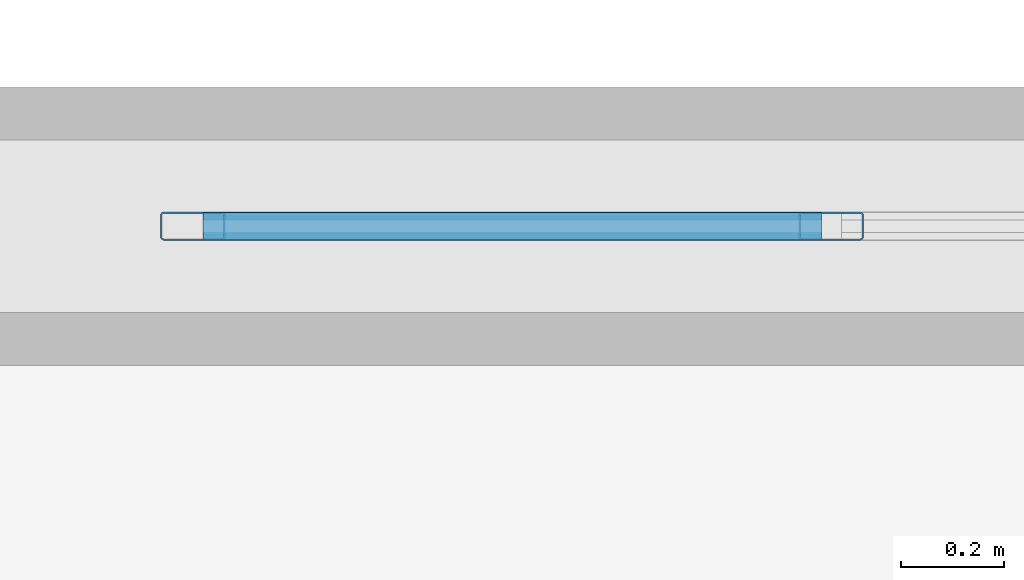
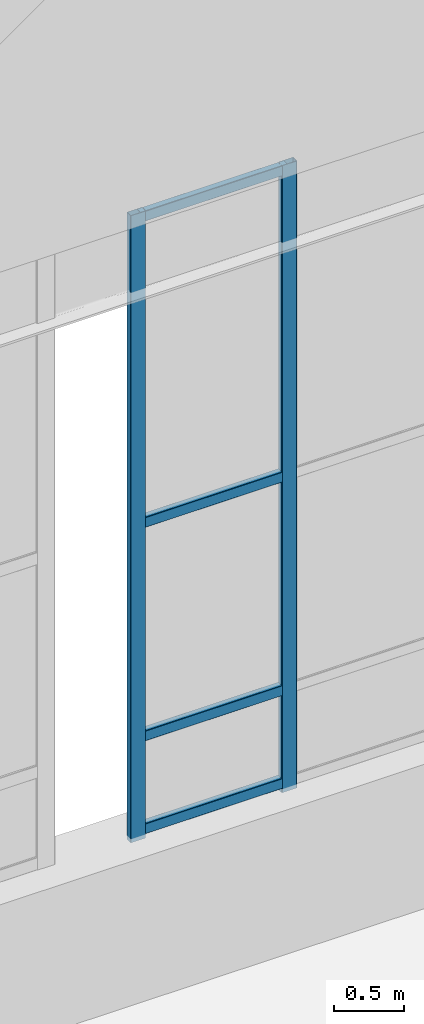
# One storey, part 65 of 97: 6 members, 1 element without a shape of its own.
"""IFC4 building model written with IfcOpenShell, lengths in metres."""

from ifc_helpers import new_model, si_unit, derived_unit, direction, frame, origin, origin_2d, place, context, subcontext, project, spatial, hollow_rectangle, extrude, material, layer, layer_set, material_profile, profile_set, type_object, element, aggregate, save


model = new_model("IFC4")

# Units and contexts
model_context = context("Model", 3, precision=1e-05, world=origin(), true_north=direction((0.0, 1.0)))
body_context = subcontext(model_context, "Body", "Model", "MODEL_VIEW")
ifc_project = project(units=[si_unit("LENGTHUNIT", "METRE"), si_unit("AREAUNIT", "SQUARE_METRE"), si_unit("VOLUMEUNIT", "CUBIC_METRE"), si_unit("PLANEANGLEUNIT", "RADIAN"), si_unit("MASSUNIT", "GRAM", prefix="KILO"), derived_unit("THERMALTRANSMITTANCEUNIT", [(si_unit("POWERUNIT", "WATT"), 1), (si_unit("LENGTHUNIT", "METRE"), -2), (si_unit("THERMODYNAMICTEMPERATUREUNIT", "KELVIN"), -1)])], contexts=[model_context])

# Site, building, storey
site_placement = place(None, origin())
site = spatial("IfcSite", under=ifc_project, at=site_placement, CompositionType="ELEMENT")
building_placement = place(site_placement, origin())
building = spatial("IfcBuilding", under=site, at=building_placement, Name="Almenara Railside Exhibition Hall", CompositionType="ELEMENT")
storey_placement = place(building_placement, frame((0.0, 0.0, 10.800048828125)))
storey = spatial("IfcBuildingStorey", under=building, at=storey_placement, Name="L02", CompositionType="ELEMENT", Elevation=10.800048828125)

# Curtain wall, members
ifc_material_1 = material(Name="Bronze-anodised aluminium and low-E double glazing", Category="aluminium")
ifc_layer = layer(ifc_material_1, 0.179931640625, Name="Bronze-anodised aluminium and low-E double glazing")
ifc_layer_set = layer_set([ifc_layer], Name="Bronze-anodised aluminium and low-E double glazing")
curtain_wall_type = type_object("IfcCurtainWallType", Name="Scroll Gable Tall Curtain Wall 3800x5400", PredefinedType="NOTDEFINED", material=ifc_layer_set)
curtain_wall_placement = place(storey_placement, origin())
curtain_wall = element("IfcCurtainWall", 1, at=curtain_wall_placement, inside=storey, type_object=curtain_wall_type, Name="Curtain wall CW-G1-047", PredefinedType="NOTDEFINED")
ifc_material_2 = material(Name="Bronze-anodised aluminium", Category="aluminium")
ifc_material_profile_1 = material_profile(ifc_material_2, hollow_rectangle(XDim=0.054931640625, YDim=0.125, WallThickness=0.0029296875, InnerFilletRadius=0.0029296875, OuterFilletRadius=0.006103515625, at=origin_2d()), Name="ALU-MUL 55x125x3")
ifc_profile_set_1 = profile_set([ifc_material_profile_1], Name="Bronze-anodised aluminium")
member_type_1 = type_object("IfcMemberType", Name="Curtain Wall Mullion 55x125x3", PredefinedType="MULLION", material=ifc_profile_set_1)
member_1_placement = place(storey_placement, frame((36.7275390625, 132.0, 1.21484375), z_axis=(0.0, 0.0, 1.0), x_axis=(0.0, 1.0, 0.0)))
member_1 = element("IfcMember", 2, at=member_1_placement, type_object=member_type_1, Name="CW-G1-047 mullion 1", PredefinedType="MULLION", context=body_context, shape_type="SweptSolid", body=[
    extrude(hollow_rectangle(XDim=0.054931640625, YDim=0.125, WallThickness=0.0029296875, InnerFilletRadius=0.0029296875, OuterFilletRadius=0.006103515625, at=origin_2d()), origin(), (0.0, 0.0, 1.0), 5.43505859375),
])
member_2_placement = place(storey_placement, frame((37.966552734375, 132.0, 1.21484375), z_axis=(0.0, 0.0, 1.0), x_axis=(0.0, 1.0, 0.0)))
member_2 = element("IfcMember", 3, at=member_2_placement, type_object=member_type_1, Name="CW-G1-047 mullion 2", PredefinedType="MULLION", context=body_context, shape_type="SweptSolid", body=[
    extrude(hollow_rectangle(XDim=0.054931640625, YDim=0.125, WallThickness=0.0029296875, InnerFilletRadius=0.0029296875, OuterFilletRadius=0.006103515625, at=origin_2d()), origin(), (0.0, 0.0, 1.0), 5.43505859375),
])
ifc_material_profile_2 = material_profile(ifc_material_2, hollow_rectangle(XDim=0.054931640625, YDim=0.090087890625, WallThickness=0.0029296875, InnerFilletRadius=0.0029296875, OuterFilletRadius=0.006103515625, at=origin_2d()), Name="ALU-TRN 55x90x3")
ifc_profile_set_2 = profile_set([ifc_material_profile_2], Name="Bronze-anodised aluminium")
member_type_2 = type_object("IfcMemberType", Name="Curtain Wall Transom 55x90x3", PredefinedType="USERDEFINED", material=ifc_profile_set_2)
member_3_placement = place(storey_placement, frame((36.7470703125, 132.0, 1.294921875), z_axis=(1.0, 0.0, 0.0), x_axis=(0.0, 1.0, 0.0)))
member_3 = element("IfcMember", 4, at=member_3_placement, type_object=member_type_2, Name="CW-G1-047 transom 1.1", ObjectType="TRANSOM", PredefinedType="USERDEFINED", context=body_context, shape_type="SweptSolid", body=[
    extrude(hollow_rectangle(XDim=0.054931640625, YDim=0.090087890625, WallThickness=0.0029296875, InnerFilletRadius=0.0029296875, OuterFilletRadius=0.006103515625, at=origin_2d()), origin(), (0.0, 0.0, 1.0), 1.2001953125),
])
member_4_placement = place(storey_placement, frame((36.7470703125, 132.0, 2.099853515625), z_axis=(1.0, 0.0, 0.0), x_axis=(0.0, 1.0, 0.0)))
member_4 = element("IfcMember", 5, at=member_4_placement, type_object=member_type_2, Name="CW-G1-047 transom 1.2", ObjectType="TRANSOM", PredefinedType="USERDEFINED", context=body_context, shape_type="SweptSolid", body=[
    extrude(hollow_rectangle(XDim=0.054931640625, YDim=0.090087890625, WallThickness=0.0029296875, InnerFilletRadius=0.0029296875, OuterFilletRadius=0.006103515625, at=origin_2d()), origin(), (0.0, 0.0, 1.0), 1.2001953125),
])
member_5_placement = place(storey_placement, frame((36.7470703125, 132.0, 3.949951171875), z_axis=(1.0, 0.0, 0.0), x_axis=(0.0, 1.0, 0.0)))
member_5 = element("IfcMember", 6, at=member_5_placement, type_object=member_type_2, Name="CW-G1-047 transom 1.3", ObjectType="TRANSOM", PredefinedType="USERDEFINED", context=body_context, shape_type="SweptSolid", body=[
    extrude(hollow_rectangle(XDim=0.054931640625, YDim=0.090087890625, WallThickness=0.0029296875, InnerFilletRadius=0.0029296875, OuterFilletRadius=0.006103515625, at=origin_2d()), origin(), (0.0, 0.0, 1.0), 1.2001953125),
])
member_6_placement = place(storey_placement, frame((36.7470703125, 132.0, 6.60498046875), z_axis=(1.0, 0.0, 0.0), x_axis=(0.0, 1.0, 0.0)))
member_6 = element("IfcMember", 7, at=member_6_placement, type_object=member_type_2, Name="CW-G1-047 transom 1.4", ObjectType="TRANSOM", PredefinedType="USERDEFINED", context=body_context, shape_type="SweptSolid", body=[
    extrude(hollow_rectangle(XDim=0.054931640625, YDim=0.090087890625, WallThickness=0.0029296875, InnerFilletRadius=0.0029296875, OuterFilletRadius=0.006103515625, at=origin_2d()), origin(), (0.0, 0.0, 1.0), 1.2001953125),
])
aggregate(curtain_wall, [member_1, member_2, member_3, member_4, member_5, member_6])

save(model, "model.ifc")
